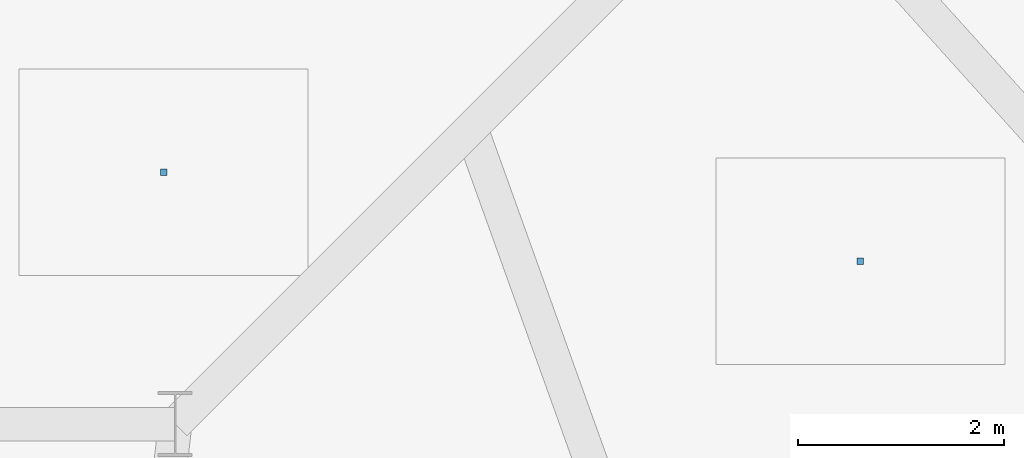
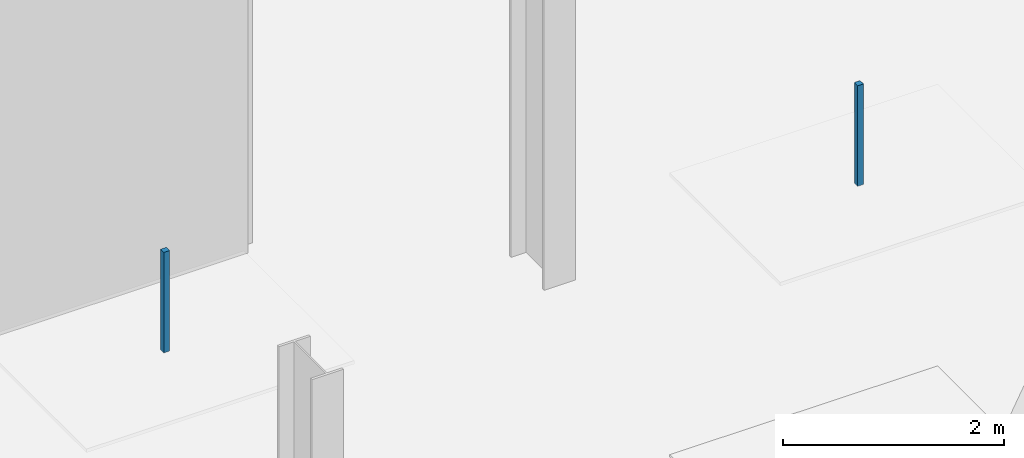
# One storey, part 113 of 139: 2 discrete accessories.
"""IFC4 building model written with IfcOpenShell, lengths in metres."""

from ifc_helpers import new_model, si_unit, derived_unit, direction, frame, origin, origin_2d, place, context, subcontext, project, spatial, rectangle, extrude, material, layer, layer_set, type_object, element, save


model = new_model("IFC4")

# Units and contexts
model_context = context("Model", 3, precision=1e-05, world=origin(), true_north=direction((0.0, 1.0)))
body_context = subcontext(model_context, "Body", "Model", "MODEL_VIEW")
ifc_project = project(units=[si_unit("LENGTHUNIT", "METRE"), si_unit("AREAUNIT", "SQUARE_METRE"), si_unit("VOLUMEUNIT", "CUBIC_METRE"), si_unit("PLANEANGLEUNIT", "RADIAN"), si_unit("MASSUNIT", "GRAM", prefix="KILO"), derived_unit("THERMALTRANSMITTANCEUNIT", [(si_unit("MASSUNIT", "GRAM", prefix="KILO"), 1), (si_unit("TIMEUNIT", "SECOND"), -3), (si_unit("THERMODYNAMICTEMPERATUREUNIT", "KELVIN"), -1)])], contexts=[model_context])

# Site, building, storey
site_placement = place(None, origin())
site = spatial("IfcSite", under=ifc_project, at=site_placement, CompositionType="ELEMENT")
building_placement = place(site_placement, origin())
building = spatial("IfcBuilding", under=site, at=building_placement, Name="Makaiwela Harbour Ferry Terminal", CompositionType="ELEMENT")
storey_placement = place(building_placement, frame((0.0, 0.0, 5.10009765625)))
storey = spatial("IfcBuildingStorey", under=building, at=storey_placement, Name="L01", CompositionType="ELEMENT", Elevation=5.10009765625)

# Discrete accessories
ifc_material = material(Name="Marine grade 316L brushed stainless steel", Category="steel")
ifc_layer = layer(ifc_material, 1.0)
ifc_layer_set = layer_set([ifc_layer], Name="Marine grade 316L brushed stainless steel")
discrete_accessory_type = type_object("IfcDiscreteAccessoryType", Name="INT-ACC-HNG", PredefinedType="BRACKET", material=ifc_layer_set)
for number, where, z_axis, x_axis, name in (
    (1, (48.498046875, 59.385498046875, 3.134765625), (0.0, 0.0, 1.0), (1.0, 0.0, 0.0), "Ceiling Suspension Bracket HNG-027"),
    (2, (41.745361328125, 60.247314453125, 3.134765625), (0.0, 0.0, 1.0), (1.0, 0.0, 0.0), "Ceiling Suspension Bracket HNG-028"),
):
    element("IfcDiscreteAccessory", number, at=place(storey_placement, frame(where, z_axis=z_axis, x_axis=x_axis)), inside=storey, type_object=discrete_accessory_type, Name=name, PredefinedType="BRACKET", context=body_context, shape_type="SweptSolid", body=[
        extrude(rectangle(XDim=0.06005859375, YDim=0.06005859375, at=origin_2d()), origin(), (0.0, 0.0, 1.0), 1.110107421875),
    ])

save(model, "model.ifc")
